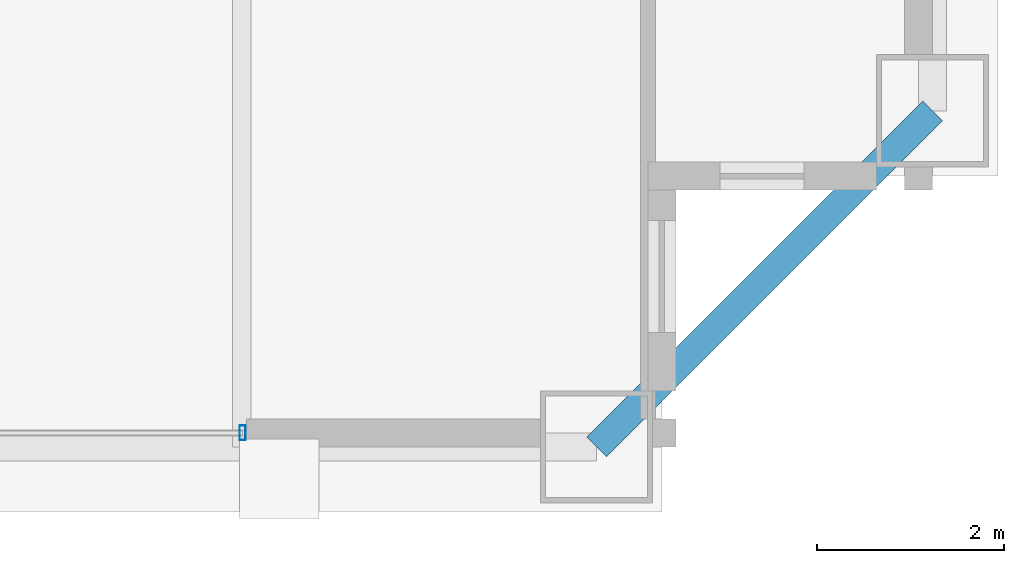
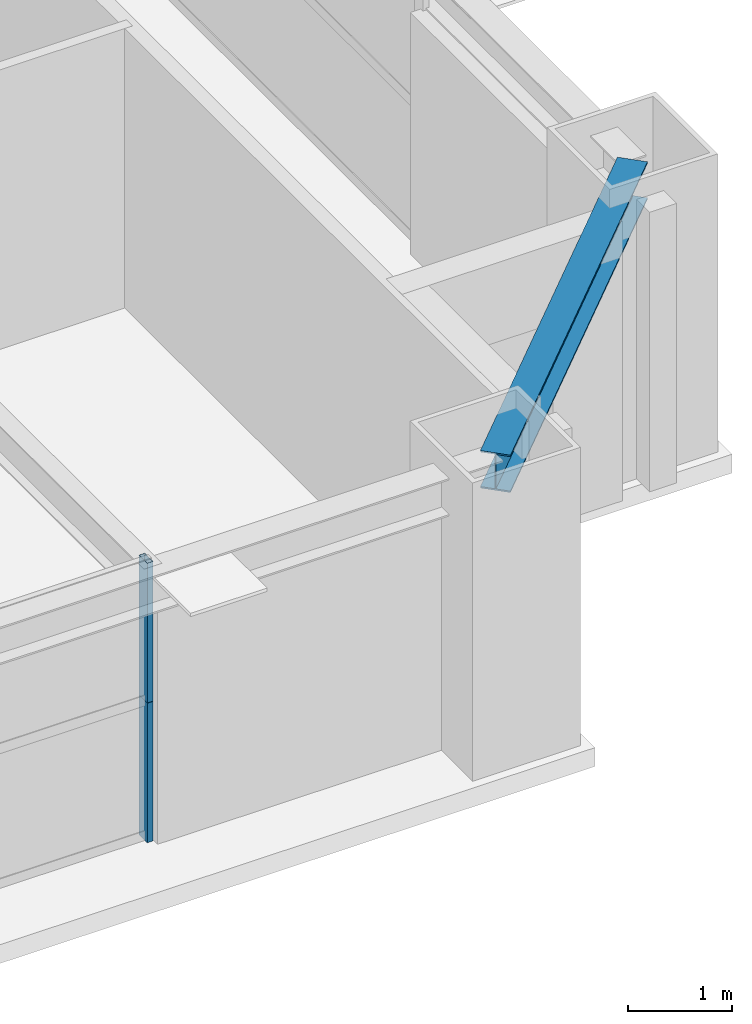
# One storey, part 16 of 37: 2 members, 1 beam, 1 element without a shape of its own.
"""IFC4 building model written with IfcOpenShell, lengths in metres."""

from ifc_helpers import new_model, si_unit, direction, frame, origin, origin_2d, place, context, subcontext, project, spatial, hollow_rectangle, i_section, extrude, source, transform, mapped, material, layer, layer_set, material_profile, profile_set, type_object, element, aggregate, save


model = new_model("IFC4")

# Units and contexts
model_context = context("Model", 3, precision=1e-05, world=origin(), true_north=direction((0.0, 1.0)))
body_context = subcontext(model_context, "Body", "Model", "MODEL_VIEW")
ifc_project = project(units=[si_unit("LENGTHUNIT", "METRE"), si_unit("AREAUNIT", "SQUARE_METRE"), si_unit("VOLUMEUNIT", "CUBIC_METRE"), si_unit("PLANEANGLEUNIT", "RADIAN"), si_unit("MASSUNIT", "GRAM", prefix="KILO"), si_unit("THERMODYNAMICTEMPERATUREUNIT", "KELVIN"), si_unit("POWERUNIT", "WATT")], contexts=[model_context])

# Site, building, storey
site_placement = place(None, origin())
site = spatial("IfcSite", under=ifc_project, at=site_placement, CompositionType="ELEMENT")
building_placement = place(site_placement, origin())
building = spatial("IfcBuilding", under=site, at=building_placement, Name="Yuzanri Waterfront Tower", CompositionType="ELEMENT")
storey_placement = place(building_placement, frame((0.0, 0.0, 275.10009765625)))
storey = spatial("IfcBuildingStorey", under=building, at=storey_placement, Name="L73", CompositionType="ELEMENT", Elevation=275.10009765625)

# Beam
ifc_material_1 = material(Name="Steel Q355B", Category="steel")
ifc_material_profile_1 = material_profile(ifc_material_1, i_section(OverallWidth=0.300048828125, OverallDepth=0.43994140625, WebThickness=0.010986328125, FlangeThickness=0.01806640625, at=origin_2d()), Name="HM 440x300x11x18")
ifc_profile_set_1 = profile_set([ifc_material_profile_1], Name="Steel Q355B")
beam_type = type_object("IfcBeamType", Name="Perimeter Spandrel Q355B HM 440x300", PredefinedType="SPANDREL", material=ifc_profile_set_1)
shared_shape_1 = source(origin(), body_context, "Body", "SweptSolid", [
    extrude(i_section(OverallWidth=0.300048828125, OverallDepth=0.43994140625, WebThickness=0.010986328125, FlangeThickness=0.01806640625, at=origin_2d()), origin(), (0.0, 0.0, 1.0), 5.09130859375),
])
beam_placement = place(storey_placement, frame((54.0, 5.199951171875, 3.059814453125), z_axis=(0.707106781187, 0.707106781187, 0.0), x_axis=(-0.707106781187, 0.707106781187, 0.0)))
element("IfcBeam", 1, at=beam_placement, inside=storey, type_object=beam_type, Name="L73 Perimeter Spandrel S3-E1", PredefinedType="SPANDREL", context=body_context, shape_type="MappedRepresentation", body=[
    mapped(shared_shape_1, transform((0.0, 0.0, 0.0), scale=1.0)),
])

# Curtain wall, members
ifc_material_2 = material(Name="Anodized Architectural Bronze", Category="metal")
ifc_layer = layer(ifc_material_2, 0.159912109375)
ifc_layer_set = layer_set([ifc_layer], Name="Anodized Architectural Bronze")
curtain_wall_type = type_object("IfcCurtainWallType", Name="Anodized Bronze Mid-Rise Residential Acoustic Unitized Curtain Wall 7200", PredefinedType="NOTDEFINED", material=ifc_layer_set)
curtain_wall_placement = place(storey_placement, origin())
curtain_wall = element("IfcCurtainWall", 2, at=curtain_wall_placement, inside=storey, type_object=curtain_wall_type, Name="L73 Curtain Wall CW-L73-SR", PredefinedType="NOTDEFINED")
ifc_material_3 = material(Name="Anodized Architectural Bronze", Category="metal")
ifc_material_profile_2 = material_profile(ifc_material_3, hollow_rectangle(XDim=0.06494140625, YDim=0.159912109375, WallThickness=0.00341796875, at=origin_2d()), Name="CWM 65x160")
ifc_profile_set_2 = profile_set([ifc_material_profile_2], Name="Anodized Architectural Bronze")
member_type = type_object("IfcMemberType", Name="Anodized Bronze Upper-Zone Curtain-Wall Mullion 65x160", PredefinedType="MULLION", material=ifc_profile_set_2)
shared_shape_2 = source(origin(), body_context, "Body", "SweptSolid", [
    extrude(hollow_rectangle(XDim=0.06494140625, YDim=0.159912109375, WallThickness=0.00341796875, at=origin_2d()), origin(), (0.0, 0.0, 1.0), 1.637939453125),
])
member_1_placement = place(storey_placement, frame((50.2099609375, 5.35009765625, 0.0), z_axis=(0.0, 0.0, 1.0), x_axis=(1.0, 0.0, 0.0)))
member_1 = element("IfcMember", 3, at=member_1_placement, type_object=member_type, Name="CW-L73-SR Lower Mullion 02", PredefinedType="MULLION", context=body_context, shape_type="MappedRepresentation", body=[
    mapped(shared_shape_2, transform((0.0, 0.0, 0.0), scale=1.0)),
])
member_2_placement = place(storey_placement, frame((50.2099609375, 5.35009765625, 1.641845703125), z_axis=(0.0, 0.0, 1.0), x_axis=(1.0, 0.0, 0.0)))
member_2 = element("IfcMember", 4, at=member_2_placement, type_object=member_type, Name="CW-L73-SR Upper Mullion 02", PredefinedType="MULLION", context=body_context, shape_type="MappedRepresentation", body=[
    mapped(shared_shape_2, transform((0.0, 0.0, 0.0), scale=1.0)),
])
aggregate(curtain_wall, [member_1, member_2])

save(model, "model.ifc")
